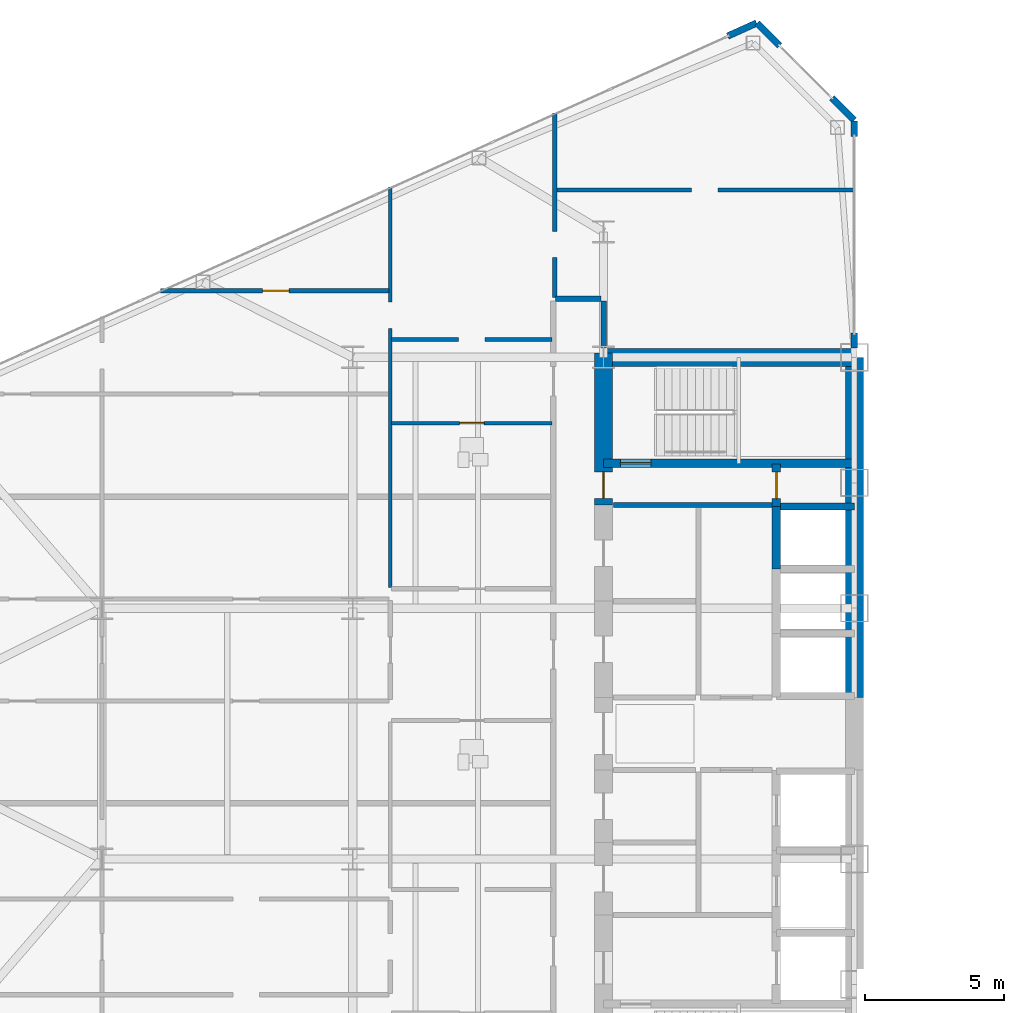
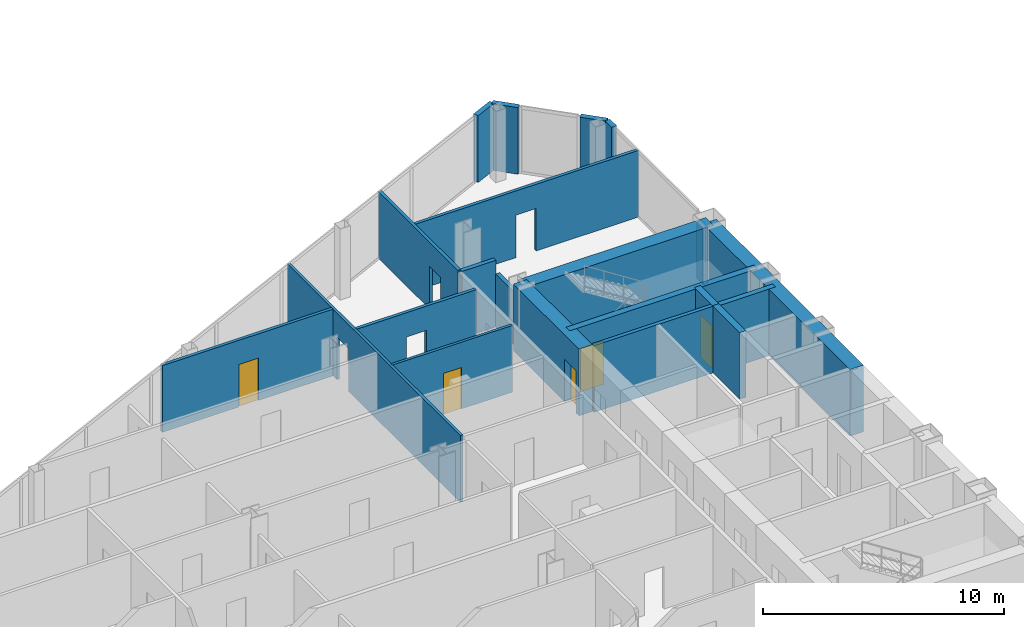
# One storey, part 21 of 27: 21 walls, 5 doors, 9 openings.
"""IFC4 building model written with IfcOpenShell, lengths in metres."""

from ifc_helpers import new_model, si_unit, direction, frame, frame_2d, origin, place, context, subcontext, project, spatial, rectangle, extrude, source, transform, mapped, material, layer, layer_set, type_object, type_shapes, element, fill, save


model = new_model("IFC4")

# Units and contexts
model_context = context("Model", 3, precision=1e-05, world=origin(), true_north=direction((0.0, 1.0)))
body_context = subcontext(model_context, "Body", "Model", "MODEL_VIEW")
ifc_project = project(units=[si_unit("LENGTHUNIT", "METRE"), si_unit("AREAUNIT", "SQUARE_METRE"), si_unit("VOLUMEUNIT", "CUBIC_METRE"), si_unit("PLANEANGLEUNIT", "RADIAN"), si_unit("MASSUNIT", "GRAM", prefix="KILO")], contexts=[model_context])

# Site, building, storey
site_placement = place(None, origin())
site = spatial("IfcSite", under=ifc_project, at=site_placement, CompositionType="ELEMENT")
building_placement = place(site_placement, origin())
building = spatial("IfcBuilding", under=site, at=building_placement, Name="Seokmaru Belvedere", CompositionType="ELEMENT")
storey_placement = place(building_placement, frame((0.0, 0.0, 92.39990234375)))
storey = spatial("IfcBuildingStorey", under=building, at=storey_placement, Name="L24", CompositionType="ELEMENT", Elevation=92.39990234375)

# Wall, opening
ifc_material_1 = material(Name="Fire-Rated Gypsum Shaftwall")
ifc_layer_1 = layer(ifc_material_1, 0.14990234375)
ifc_layer_set_1 = layer_set([ifc_layer_1], Name="Fire-Rated Gypsum Shaftwall")
wall_type_1 = type_object("IfcWallType", Name="Apartment Fire-Acoustic Room Partition 150", PredefinedType="PARTITIONING", material=ifc_layer_set_1)
wall_1_placement = place(storey_placement, frame((-44.10009765625, 14.139892578125, 0.0), z_axis=(0.0, 0.0, 1.0), x_axis=(1.0, 0.0, 0.0)))
wall_1 = element("IfcWall", 1, at=wall_1_placement, inside=storey, type_object=wall_type_1, Name="L24 Interior Partition 025", PredefinedType="PARTITIONING", context=body_context, shape_type="SweptSolid", body=[
    extrude(rectangle(XDim=5.75, YDim=0.14990234375, at=frame_2d((2.875, 0.0))), origin(), (0.0, 0.0, 1.0), 3.380126953125),
])
opening_1_placement = place(wall_1_placement, frame((2.39990234375, 0.0, 0.0)))
element("IfcOpeningElement", 2, at=opening_1_placement, cuts=wall_1, Name="L24 Cased Opening 026", PredefinedType="OPENING", context=body_context, shape_type="SweptSolid", body=[
    extrude(rectangle(XDim=0.949951171875, YDim=2.14990234375, at=frame_2d((0.47509765625, 1.074951171875))), frame((0.0, 0.0849609375, 0.0), z_axis=(0.0, -1.0, 0.0), x_axis=(1.0, 0.0, 0.0)), (0.0, 0.0, 1.0), 0.169921875),
])

# Wall, opening, door
wall_2_placement = place(storey_placement, frame((-52.39404296875, 15.889892578125, 0.0), z_axis=(0.0, 0.0, 1.0), x_axis=(1.0, 0.0, 0.0)))
wall_2 = element("IfcWall", 3, at=wall_2_placement, inside=storey, type_object=wall_type_1, Name="L24 Interior Partition 029", PredefinedType="PARTITIONING", context=body_context, shape_type="SweptSolid", body=[
    extrude(rectangle(XDim=8.194091796875, YDim=0.14990234375, at=frame_2d((4.09716796875, 0.0))), origin(), (0.0, 0.0, 1.0), 3.380126953125),
])
opening_2_placement = place(wall_2_placement, frame((3.664306640625, 0.0, 0.0)))
opening_2 = element("IfcOpeningElement", 4, at=opening_2_placement, cuts=wall_2, Name="Opening D05", PredefinedType="OPENING", context=body_context, shape_type="SweptSolid", body=[
    extrude(rectangle(XDim=0.949951171875, YDim=2.14990234375, at=frame_2d((0.47509765625, 1.074951171875))), frame((0.0, 0.0849609375, 0.0), z_axis=(0.0, -1.0, 0.0), x_axis=(1.0, 0.0, 0.0)), (0.0, 0.0, 1.0), 0.169921875),
])
ifc_material_2 = material(Name="Engineered White Oak Timber", Category="wood")
door_type_1 = type_object("IfcDoorType", Name="Apartment Interior Fire-Rated Oak Door 950x2150", OperationType="NOTDEFINED", PredefinedType="DOOR", material=ifc_material_2)
shared_shape_1 = source(origin(), body_context, "Body", "SweptSolid", [
    extrude(rectangle(XDim=0.949951171875, YDim=2.14990234375, at=frame_2d((0.47509765625, 1.074951171875))), frame((0.0, 0.02490234375, 0.0), z_axis=(0.0, -1.0, 0.0), x_axis=(1.0, 0.0, 0.0)), (0.0, 0.0, 1.0), 0.050048828125),
])
type_shapes(door_type_1, [shared_shape_1])
door_1_placement = place(opening_2_placement, origin())
door_1 = element("IfcDoor", 5, at=door_1_placement, inside=storey, type_object=door_type_1, Name="L24 Interior Door 030", OperationType="SINGLE_SWING_LEFT", OverallHeight=2.14990234375, OverallWidth=0.949951171875, PredefinedType="DOOR", context=body_context, shape_type="MappedRepresentation", body=[
    mapped(shared_shape_1, transform((0.0, 0.0, 0.0), scale=1.0)),
])
fill(opening_2, door_1)

# Wall, opening
wall_3_placement = place(storey_placement, frame((-38.199951171875, 19.5, 0.0), z_axis=(0.0, 0.0, 1.0), x_axis=(1.0, 0.0, 0.0)))
wall_3 = element("IfcWall", 6, at=wall_3_placement, inside=storey, type_object=wall_type_1, Name="L24 Interior Partition 030", PredefinedType="PARTITIONING", context=body_context, shape_type="SweptSolid", body=[
    extrude(rectangle(XDim=10.73486328125, YDim=0.14990234375, at=frame_2d((5.367431640625, 0.0))), origin(), (0.0, 0.0, 1.0), 3.380126953125),
])
opening_3_placement = place(wall_3_placement, frame((4.85009765625, 0.0, 0.0)))
element("IfcOpeningElement", 7, at=opening_3_placement, cuts=wall_3, Name="L24 Cased Opening 033", PredefinedType="OPENING", context=body_context, shape_type="SweptSolid", body=[
    extrude(rectangle(XDim=0.949951171875, YDim=2.14990234375, at=frame_2d((0.47509765625, 1.074951171875))), frame((0.0, 0.0849609375, 0.0), z_axis=(0.0, -1.0, 0.0), x_axis=(1.0, 0.0, 0.0)), (0.0, 0.0, 1.0), 0.169921875),
])

wall_4_placement = place(storey_placement, frame((-38.25, 15.64990234375, 0.0), z_axis=(0.0, 0.0, 1.0), x_axis=(0.0, 1.0, 0.0)))
wall_4 = element("IfcWall", 8, at=wall_4_placement, inside=storey, type_object=wall_type_1, Name="L24 Interior Partition 040", PredefinedType="PARTITIONING", context=body_context, shape_type="SweptSolid", body=[
    extrude(rectangle(XDim=6.623046875, YDim=0.14990234375, at=frame_2d((3.3115234375, 0.0))), origin(), (0.0, 0.0, 1.0), 3.380126953125),
])
opening_4_placement = place(wall_4_placement, frame((1.425048828125, 0.0, 0.0)))
element("IfcOpeningElement", 9, at=opening_4_placement, cuts=wall_4, Name="L24 Cased Opening 032", PredefinedType="OPENING", context=body_context, shape_type="SweptSolid", body=[
    extrude(rectangle(XDim=0.949951171875, YDim=2.14990234375, at=frame_2d((0.47509765625, 1.074951171875))), frame((0.0, 0.0849609375, 0.0), z_axis=(0.0, -1.0, 0.0), x_axis=(1.0, 0.0, 0.0)), (0.0, 0.0, 1.0), 0.169921875),
])

# Walls
ifc_layer_2 = layer(ifc_material_1, 0.179931640625)
ifc_layer_set_2 = layer_set([ifc_layer_2], Name="Fire-Rated Gypsum Shaftwall")
wall_type_2 = type_object("IfcWallType", Name="Core Service Fire Partition 180", PredefinedType="PARTITIONING", material=ifc_layer_set_2)
wall_5_placement = place(storey_placement, frame((-36.14990234375, 8.199951171875, 0.0), z_axis=(0.0, 0.0, 1.0), x_axis=(1.0, 0.0, 0.0)))
element("IfcWall", 10, at=wall_5_placement, inside=storey, type_object=wall_type_2, Name="L24 West Smokeproof Vestibule Partition", PredefinedType="PARTITIONING", context=body_context, shape_type="SweptSolid", body=[
    extrude(rectangle(XDim=5.699951171875, YDim=0.179931640625, at=frame_2d((2.85009765625, 0.0))), origin(), (0.0, 0.0, 1.0), 3.380126953125),
])
ifc_material_3 = material(Name="Concrete C50 (50 MPa)", Category="concrete")
ifc_layer_3 = layer(ifc_material_3, 0.25)
ifc_layer_set_3 = layer_set([ifc_layer_3], Name="Concrete C50 (50 MPa)")
wall_type_3 = type_object("IfcWallType", Name="Hoistway Transverse Concrete Divider Wall 250", PredefinedType="SHEAR", material=ifc_layer_set_3)
wall_6_placement = place(storey_placement, frame((-30.300048828125, 8.14990234375, 0.0), z_axis=(0.0, 0.0, 1.0), x_axis=(1.0, 0.0, 0.0)))
element("IfcWall", 11, at=wall_6_placement, inside=storey, type_object=wall_type_3, Name="L24 West Hoistway Divider Core Wall 7", PredefinedType="SHEAR", context=body_context, shape_type="SweptSolid", body=[
    extrude(rectangle(XDim=2.800048828125, YDim=0.25, at=frame_2d((1.39990234375, 0.0))), origin(), (0.0, 0.0, 1.0), 3.380126953125),
])
ifc_layer_4 = layer(ifc_material_1, 0.199951171875)
ifc_layer_set_4 = layer_set([ifc_layer_4], Name="Fire-Rated Gypsum Shaftwall")
wall_type_4 = type_object("IfcWallType", Name="Inter-Tenancy Fire Compartment Partition 200", PredefinedType="PARTITIONING", material=ifc_layer_set_4)
wall_7_placement = place(storey_placement, frame((-38.215087890625, 15.60009765625, 0.0), z_axis=(0.0, 0.0, 1.0), x_axis=(1.0, 0.0, 0.0)))
element("IfcWall", 12, at=wall_7_placement, inside=storey, type_object=wall_type_4, Name="L24 Interior Partition 027", PredefinedType="PARTITIONING", context=body_context, shape_type="SweptSolid", body=[
    extrude(rectangle(XDim=1.630126953125, YDim=0.199951171875, at=frame_2d((0.81494140625, 0.0))), origin(), (0.0, 0.0, 1.0), 3.380126953125),
])
wall_8_placement = place(storey_placement, frame((-36.5, 13.830078125, 0.0), z_axis=(0.0, 0.0, 1.0), x_axis=(0.0, 1.0, 0.0)))
element("IfcWall", 13, at=wall_8_placement, inside=storey, type_object=wall_type_4, Name="L24 Interior Partition 042", PredefinedType="PARTITIONING", context=body_context, shape_type="SweptSolid", body=[
    extrude(rectangle(XDim=1.684814453125, YDim=0.199951171875, at=frame_2d((0.84228515625, 0.0))), origin(), (0.0, 0.0, 1.0), 2.68017578125),
])

# Wall, opening, door
ifc_layer_5 = layer(ifc_material_3, 0.300048828125)
ifc_layer_set_5 = layer_set([ifc_layer_5], Name="Concrete C50 (50 MPa)")
wall_type_5 = type_object("IfcWallType", Name="Internal Core Stair and Hoistway Wall 300", PredefinedType="SHEAR", material=ifc_layer_set_5)
wall_9_placement = place(storey_placement, frame((-36.5, 9.699951171875, 0.0), z_axis=(0.0, 0.0, 1.0), x_axis=(1.0, 0.0, 0.0)))
wall_9 = element("IfcWall", 14, at=wall_9_placement, inside=storey, type_object=wall_type_5, Name="L24 West Stair ST-2 Enclosure Wall", PredefinedType="SHEAR", context=body_context, shape_type="SweptSolid", body=[
    extrude(rectangle(XDim=9.0, YDim=0.300048828125, at=frame_2d((4.5, 0.0))), origin(), (0.0, 0.0, 1.0), 3.380126953125),
])
opening_5_placement = place(wall_9_placement, frame((0.60009765625, 0.0, 0.0)))
opening_5 = element("IfcOpeningElement", 15, at=opening_5_placement, cuts=wall_9, Name="Opening D01", PredefinedType="OPENING", context=body_context, shape_type="SweptSolid", body=[
    extrude(rectangle(XDim=1.10009765625, YDim=2.199951171875, at=frame_2d((0.550048828125, 1.10009765625))), frame((0.0, 0.16015625, 0.0), z_axis=(0.0, -1.0, 0.0), x_axis=(1.0, 0.0, 0.0)), (0.0, 0.0, 1.0), 0.320068359375),
])
ifc_material_4 = material(Name="Fire-Rated Steel Leaf", Category="steel")
door_type_2 = type_object("IfcDoorType", Name="Special Escape Stair Smokeproof Fire Door 1100x2200", OperationType="NOTDEFINED", PredefinedType="DOOR", material=ifc_material_4)
shared_shape_2 = source(origin(), body_context, "Body", "SweptSolid", [
    extrude(rectangle(XDim=1.10009765625, YDim=2.199951171875, at=frame_2d((0.550048828125, 1.10009765625))), frame((0.0, 0.02490234375, 0.0), z_axis=(0.0, -1.0, 0.0), x_axis=(1.0, 0.0, 0.0)), (0.0, 0.0, 1.0), 0.050048828125),
])
type_shapes(door_type_2, [shared_shape_2])
door_2_placement = place(opening_5_placement, origin())
door_2 = element("IfcDoor", 16, at=door_2_placement, inside=storey, type_object=door_type_2, Name="L24 West Special Escape Stair ST-2 Door", OperationType="SINGLE_SWING_RIGHT", OverallHeight=2.199951171875, OverallWidth=1.10009765625, PredefinedType="DOOR", context=body_context, shape_type="MappedRepresentation", body=[
    mapped(shared_shape_2, transform((0.0, 0.0, 0.0), scale=1.0)),
])
fill(opening_5, door_2)

# Wall
wall_10_placement = place(storey_placement, frame((-30.300048828125, 5.89990234375, 0.0), z_axis=(0.0, 0.0, 1.0), x_axis=(0.0, 1.0, 0.0)))
element("IfcWall", 17, at=wall_10_placement, inside=storey, type_object=wall_type_5, Name="L24 West North Hoistway Wall OBS", PredefinedType="SHEAR", context=body_context, shape_type="SweptSolid", body=[
    extrude(rectangle(XDim=2.25, YDim=0.300048828125, at=frame_2d((1.125, 0.0))), origin(), (0.0, 0.0, 1.0), 3.380126953125),
])

# Wall, opening, door
wall_11_placement = place(storey_placement, frame((-30.300048828125, 8.14990234375, 0.0), z_axis=(0.0, 0.0, 1.0), x_axis=(0.0, 1.0, 0.0)))
wall_11 = element("IfcWall", 18, at=wall_11_placement, inside=storey, type_object=wall_type_5, Name="L24 West Electrical Riser Front Wall", PredefinedType="SHEAR", context=body_context, shape_type="SweptSolid", body=[
    extrude(rectangle(XDim=1.530029296875, YDim=0.300048828125, at=frame_2d((0.76513671875, 0.0))), origin(), (0.0, 0.0, 1.0), 3.380126953125),
])
opening_6_placement = place(wall_11_placement, frame((0.284912109375, 0.0, 0.0)))
opening_6 = element("IfcOpeningElement", 19, at=opening_6_placement, cuts=wall_11, Name="Opening D04", PredefinedType="OPENING", context=body_context, shape_type="SweptSolid", body=[
    extrude(rectangle(XDim=0.949951171875, YDim=2.14990234375, at=frame_2d((0.47509765625, 1.074951171875))), frame((0.0, 0.16015625, 0.0), z_axis=(0.0, -1.0, 0.0), x_axis=(1.0, 0.0, 0.0)), (0.0, 0.0, 1.0), 0.320068359375),
])
door_type_3 = type_object("IfcDoorType", Name="Core Service Room Fire Door 950x2150", OperationType="NOTDEFINED", PredefinedType="DOOR", material=ifc_material_4)
shared_shape_3 = source(origin(), body_context, "Body", "SweptSolid", [
    extrude(rectangle(XDim=0.949951171875, YDim=2.14990234375, at=frame_2d((0.47509765625, 1.074951171875))), frame((0.0, 0.02490234375, 0.0), z_axis=(0.0, -1.0, 0.0), x_axis=(1.0, 0.0, 0.0)), (0.0, 0.0, 1.0), 0.050048828125),
])
type_shapes(door_type_3, [shared_shape_3])
door_3_placement = place(opening_6_placement, origin())
door_3 = element("IfcDoor", 20, at=door_3_placement, inside=storey, type_object=door_type_3, Name="L24 West Electrical Riser Access Door", OperationType="SINGLE_SWING_LEFT", OverallHeight=2.14990234375, OverallWidth=0.949951171875, PredefinedType="DOOR", context=body_context, shape_type="MappedRepresentation", body=[
    mapped(shared_shape_3, transform((0.0, 0.0, 0.0), scale=1.0)),
])
fill(opening_6, door_3)

# Walls
ifc_material_5 = material(Name="Concrete C60 (60 MPa)", Category="concrete")
ifc_layer_6 = layer(ifc_material_5, 0.64990234375)
ifc_layer_set_6 = layer_set([ifc_layer_6], Name="Concrete C60 (60 MPa)")
wall_type_6 = type_object("IfcWallType", Name="Mid-Low Reinforced Concrete Core Wall 650", PredefinedType="SHEAR", material=ifc_layer_set_6)
wall_12_placement = place(storey_placement, frame((-27.5, 1.300048828125, 0.0), z_axis=(0.0, 0.0, 1.0), x_axis=(0.0, 1.0, 0.0)))
element("IfcWall", 21, at=wall_12_placement, inside=storey, type_object=wall_type_6, Name="L24 West Portal Spine Core Wall North", PredefinedType="SHEAR", context=body_context, shape_type="SweptSolid", body=[
    extrude(rectangle(XDim=12.199951171875, YDim=0.64990234375, at=frame_2d((6.10009765625, 0.0))), origin(), (0.0, 0.0, 1.0), 3.380126953125),
])
wall_13_placement = place(storey_placement, frame((-36.5, 13.5, 0.0), z_axis=(0.0, 0.0, 1.0), x_axis=(1.0, 0.0, 0.0)))
element("IfcWall", 22, at=wall_13_placement, inside=storey, type_object=wall_type_6, Name="L24 West North Core Wall", PredefinedType="SHEAR", context=body_context, shape_type="SweptSolid", body=[
    extrude(rectangle(XDim=9.0, YDim=0.64990234375, at=frame_2d((4.5, 0.0))), origin(), (0.0, 0.0, 1.0), 3.380126953125),
])

# Wall, opening, door
wall_14_placement = place(storey_placement, frame((-36.5, 8.199951171875, 0.0), z_axis=(0.0, 0.0, 1.0), x_axis=(0.0, 1.0, 0.0)))
wall_14 = element("IfcWall", 23, at=wall_14_placement, inside=storey, type_object=wall_type_6, Name="L24 West West Core Wall VST", PredefinedType="SHEAR", context=body_context, shape_type="SweptSolid", body=[
    extrude(rectangle(XDim=5.449951171875, YDim=0.64990234375, at=frame_2d((2.72509765625, 0.0))), origin(), (0.0, 0.0, 1.0), 3.380126953125),
])
opening_7_placement = place(wall_14_placement, frame((0.2451171875, 0.0, 0.0)))
opening_7 = element("IfcOpeningElement", 24, at=opening_7_placement, cuts=wall_14, Name="Opening D04", PredefinedType="OPENING", context=body_context, shape_type="SweptSolid", body=[
    extrude(rectangle(XDim=0.949951171875, YDim=2.14990234375, at=frame_2d((0.47509765625, 1.074951171875))), frame((0.0, 0.3349609375, 0.0), z_axis=(0.0, -1.0, 0.0), x_axis=(1.0, 0.0, 0.0)), (0.0, 0.0, 1.0), 0.669921875),
])
door_4_placement = place(opening_7_placement, frame((0.949951171875, 0.0, 0.0), z_axis=(0.0, 0.0, 1.0), x_axis=(-1.0, 0.0, 0.0)))
door_4 = element("IfcDoor", 25, at=door_4_placement, inside=storey, type_object=door_type_3, Name="L24 West Smokeproof Vestibule Door", OperationType="SINGLE_SWING_RIGHT", OverallHeight=2.14990234375, OverallWidth=0.949951171875, PredefinedType="DOOR", context=body_context, shape_type="MappedRepresentation", body=[
    mapped(shared_shape_3, transform((0.0, 0.0, 0.0), scale=1.0)),
])
fill(opening_7, door_4)

ifc_layer_7 = layer(ifc_material_1, 0.1298828125)
ifc_layer_set_7 = layer_set([ifc_layer_7], Name="Fire-Rated Gypsum Shaftwall")
wall_type_7 = type_object("IfcWallType", Name="Moisture-Resistant Fire-Rated Bathroom Partition 130", PredefinedType="PARTITIONING", material=ifc_layer_set_7)
wall_15_placement = place(storey_placement, frame((-44.10009765625, 11.139892578125, 0.0), z_axis=(0.0, 0.0, 1.0), x_axis=(1.0, 0.0, 0.0)))
wall_15 = element("IfcWall", 26, at=wall_15_placement, inside=storey, type_object=wall_type_7, Name="L24 Interior Partition 023", PredefinedType="PARTITIONING", context=body_context, shape_type="SweptSolid", body=[
    extrude(rectangle(XDim=5.75, YDim=0.1298828125, at=frame_2d((2.875, 0.0))), origin(), (0.0, 0.0, 1.0), 3.380126953125),
])
opening_8_placement = place(wall_15_placement, frame((2.43505859375, 0.0, 0.0)))
opening_8 = element("IfcOpeningElement", 27, at=opening_8_placement, cuts=wall_15, Name="Opening D06", PredefinedType="OPENING", context=body_context, shape_type="SweptSolid", body=[
    extrude(rectangle(XDim=0.8798828125, YDim=2.10009765625, at=frame_2d((0.43994140625, 1.050048828125))), frame((0.0, 0.074951171875, 0.0), z_axis=(0.0, -1.0, 0.0), x_axis=(1.0, 0.0, 0.0)), (0.0, 0.0, 1.0), 0.14990234375),
])
door_type_4 = type_object("IfcDoorType", Name="Bathroom and Restroom Fire-Rated Door 880x2100", OperationType="NOTDEFINED", PredefinedType="DOOR", material=ifc_material_2)
shared_shape_4 = source(origin(), body_context, "Body", "SweptSolid", [
    extrude(rectangle(XDim=0.8798828125, YDim=2.10009765625, at=frame_2d((0.43994140625, 1.050048828125))), frame((0.0, 0.02490234375, 0.0), z_axis=(0.0, -1.0, 0.0), x_axis=(1.0, 0.0, 0.0)), (0.0, 0.0, 1.0), 0.050048828125),
])
type_shapes(door_type_4, [shared_shape_4])
door_5_placement = place(opening_8_placement, origin())
door_5 = element("IfcDoor", 28, at=door_5_placement, inside=storey, type_object=door_type_4, Name="L24 Interior Door 025", OperationType="SINGLE_SWING_LEFT", OverallHeight=2.10009765625, OverallWidth=0.8798828125, PredefinedType="DOOR", context=body_context, shape_type="MappedRepresentation", body=[
    mapped(shared_shape_4, transform((0.0, 0.0, 0.0), scale=1.0)),
])
fill(opening_8, door_5)

# Wall, opening
wall_16_placement = place(storey_placement, frame((-44.14990234375, 5.251953125, 0.0), z_axis=(0.0, 0.0, 1.0), x_axis=(0.0, 1.0, 0.0)))
wall_16 = element("IfcWall", 29, at=wall_16_placement, inside=storey, type_object=wall_type_7, Name="L24 Interior Partition 038", PredefinedType="PARTITIONING", context=body_context, shape_type="SweptSolid", body=[
    extrude(rectangle(XDim=14.364990234375, YDim=0.1298828125, at=frame_2d((7.1826171875, 0.0))), origin(), (0.0, 0.0, 1.0), 3.380126953125),
])
opening_9_placement = place(wall_16_placement, frame((9.28955078125, 0.0, 0.0)))
element("IfcOpeningElement", 30, at=opening_9_placement, cuts=wall_16, Name="L24 Cased Opening 027", PredefinedType="OPENING", context=body_context, shape_type="SweptSolid", body=[
    extrude(rectangle(XDim=0.949951171875, YDim=2.14990234375, at=frame_2d((0.47509765625, 1.074951171875))), frame((0.0, 0.074951171875, 0.0), z_axis=(0.0, -1.0, 0.0), x_axis=(1.0, 0.0, 0.0)), (0.0, 0.0, 1.0), 0.14990234375),
])

# Walls
ifc_material_6 = material(Name="Anodised Bronze Aluminium", Category="aluminium")
ifc_layer_8 = layer(ifc_material_6, 0.239990234375)
ifc_layer_set_8 = layer_set([ifc_layer_8], Name="Anodised Bronze Aluminium")
wall_type_8 = type_object("IfcWallType", Name="Tower Corner Spandrel Closure Wall 240", PredefinedType="SOLIDWALL", material=ifc_layer_set_8)
wall_17_placement = place(storey_placement, frame((-27.5, 13.830078125, 0.0), z_axis=(0.0, 0.0, 1.0), x_axis=(0.0, 1.0, 0.0)))
element("IfcWall", 31, at=wall_17_placement, inside=storey, type_object=wall_type_8, Name="L24 W Spine Closure Pier 2A", PredefinedType="SOLIDWALL", context=body_context, shape_type="SweptSolid", body=[
    extrude(rectangle(XDim=0.5498046875, YDim=0.239990234375, at=frame_2d((0.27490234375, 0.0))), origin(), (0.0, 0.0, 1.0), 2.880126953125),
])
wall_18_placement = place(storey_placement, frame((-27.5, 21.429931640625, 0.0), z_axis=(0.0, 0.0, 1.0), x_axis=(0.0, 1.0, 0.0)))
element("IfcWall", 32, at=wall_18_placement, inside=storey, type_object=wall_type_8, Name="L24 W Spine Closure Pier 2B", PredefinedType="SOLIDWALL", context=body_context, shape_type="SweptSolid", body=[
    extrude(rectangle(XDim=0.550048828125, YDim=0.239990234375, at=frame_2d((0.27490234375, 0.0))), origin(), (0.0, 0.0, 1.0), 3.380126953125),
])
for number, where, z_axis, x_axis, name in (
    (33, (-27.507080078125, 22.007080078125, 0.0), (0.0, 0.0, 1.0), (-0.707106781187, 0.707106781187, 0.0), "L24 W Corner Closure Pier 2A"),
    (34, (-30.186767578125, 24.686767578125, 0.0), (0.0, 0.0, 1.0), (-0.707106781187, 0.707106781187, 0.0), "L24 W Corner Closure Pier 2B"),
):
    element("IfcWall", number, at=place(storey_placement, frame(where, z_axis=z_axis, x_axis=x_axis)), inside=storey, type_object=wall_type_8, Name=name, PredefinedType="SOLIDWALL", context=body_context, shape_type="SweptSolid", body=[
        extrude(rectangle(XDim=1.14013671875, YDim=0.239990234375, at=frame_2d((0.570068359375, 0.0))), origin(), (0.0, 0.0, 1.0), 3.380126953125),
    ])
wall_19_placement = place(storey_placement, frame((-31.009033203125, 25.495849609375, 0.0), z_axis=(0.0, 0.0, 1.0), x_axis=(-0.911929519623, -0.410346866979, 0.0)))
element("IfcWall", 35, at=wall_19_placement, inside=storey, type_object=wall_type_8, Name="L24 W Corner Closure Pier 3A", PredefinedType="SOLIDWALL", context=body_context, shape_type="SweptSolid", body=[
    extrude(rectangle(XDim=1.139892578125, YDim=0.239990234375, at=frame_2d((0.56982421875, 0.0))), origin(), (0.0, 0.0, 1.0), 3.380126953125),
])

save(model, "model.ifc")
